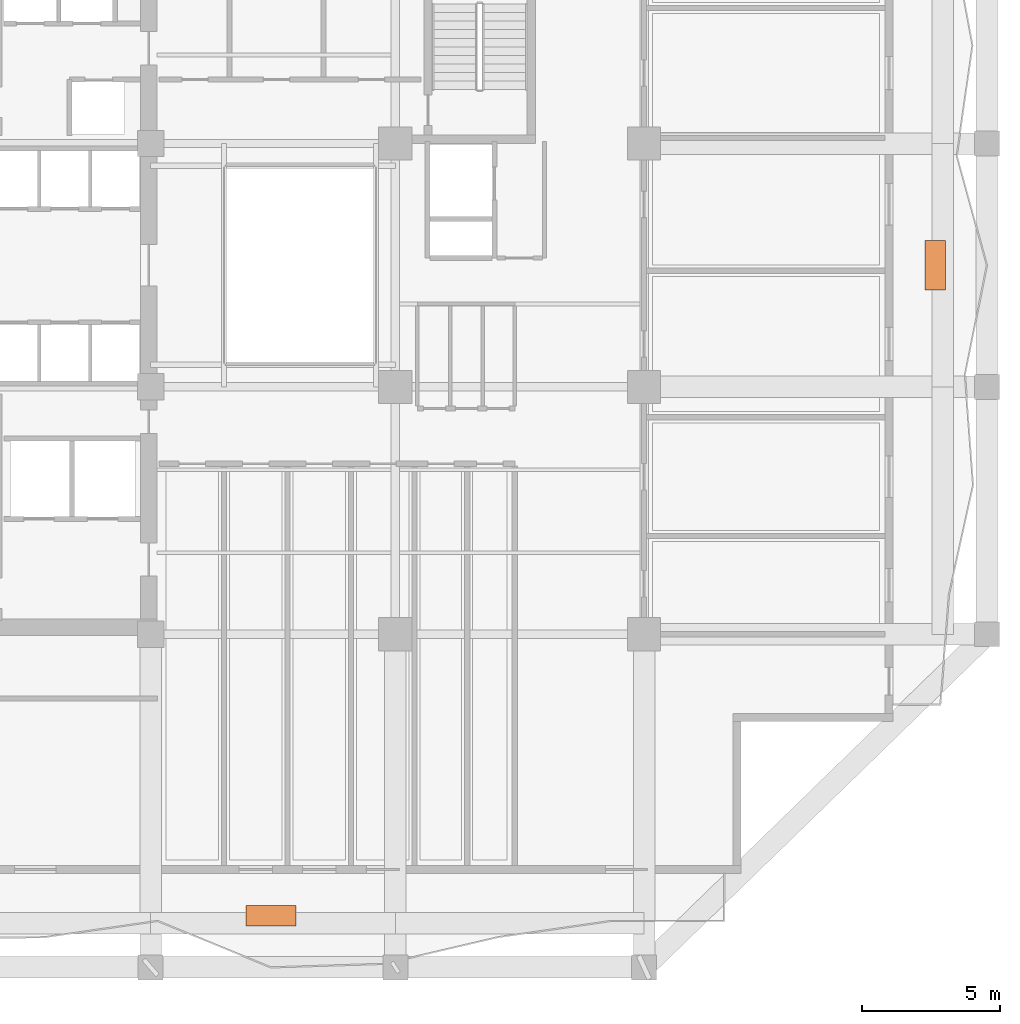
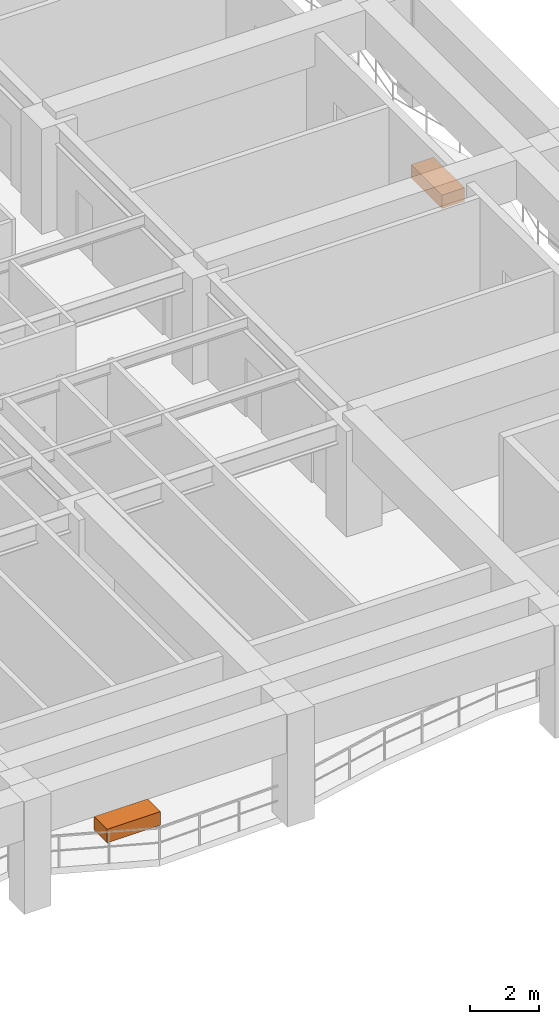
# One storey, part 13 of 13: 2 proxies.
"""IFC4 building model written with IfcOpenShell, lengths in metres."""

from ifc_helpers import new_model, si_unit, direction, frame, origin, origin_2d, place, context, subcontext, project, spatial, rectangle, extrude, material, type_object, element, save


model = new_model("IFC4")

# Units and contexts
model_context = context("Model", 3, precision=1e-05, world=origin(), true_north=direction((0.0, 1.0)))
body_context = subcontext(model_context, "Body", "Model", "MODEL_VIEW")
ifc_project = project(units=[si_unit("LENGTHUNIT", "METRE"), si_unit("AREAUNIT", "SQUARE_METRE"), si_unit("VOLUMEUNIT", "CUBIC_METRE"), si_unit("PLANEANGLEUNIT", "RADIAN"), si_unit("MASSUNIT", "GRAM", prefix="KILO")], contexts=[model_context])

# Site, building, storey
site_placement = place(None, origin())
site = spatial("IfcSite", under=ifc_project, at=site_placement, CompositionType="ELEMENT")
building_placement = place(site_placement, origin())
building = spatial("IfcBuilding", under=site, at=building_placement, Name="Kundavana Baori Tower", CompositionType="ELEMENT")
storey_placement = place(building_placement, frame((0.0, 0.0, 78.0)))
storey = spatial("IfcBuildingStorey", under=building, at=storey_placement, Name="L18", CompositionType="ELEMENT", Elevation=78.0)

# Proxies
ifc_material = material(Name="Red-Buff Dholpur Sandstone Cladding on Concrete C40/50", Category="masonry")
building_element_proxy_type = type_object("IfcBuildingElementProxyType", Name="PRX-PLANTER-1800", PredefinedType="USERDEFINED", material=ifc_material)
for number, where, z_axis, x_axis, name in (
    (1, (29.300048828125, 5.070068359375, 0.0), (0.0, 0.0, 1.0), (1.0, 0.0, 0.0), "L18 Dholpur Stone Structural Tree Planter S"),
    (2, (53.330078125, 28.60009765625, 0.0), (0.0, 0.0, 1.0), (0.0, 1.0, 0.0), "L18 Dholpur Stone Structural Tree Planter E"),
):
    element("IfcBuildingElementProxy", number, at=place(storey_placement, frame(where, z_axis=z_axis, x_axis=x_axis)), inside=storey, type_object=building_element_proxy_type, Name=name, ObjectType="PLANTER", PredefinedType="USERDEFINED", context=body_context, shape_type="SweptSolid", body=[
        extrude(rectangle(XDim=1.800048828125, YDim=0.75, at=origin_2d()), origin(), (0.0, 0.0, 1.0), 0.47998046875),
    ])

save(model, "model.ifc")
